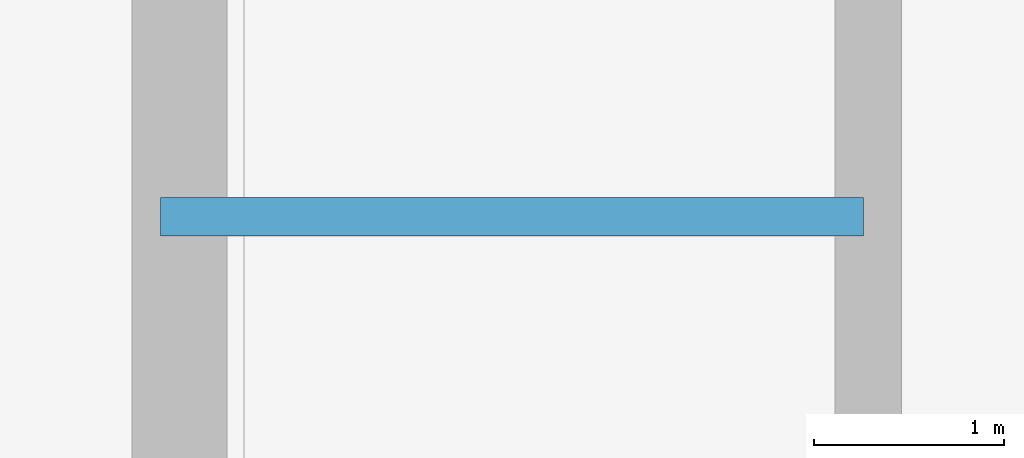
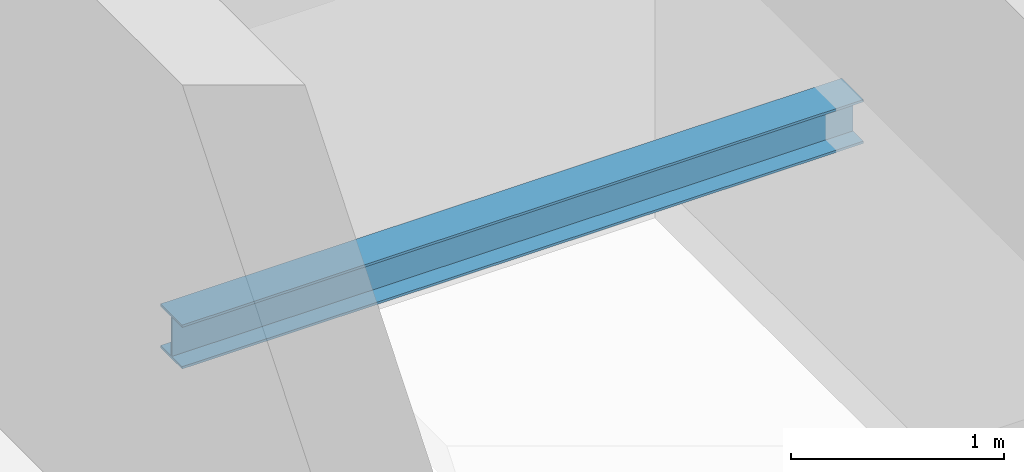
# One storey, part 13 of 32: 1 beam.
"""IFC4 building model written with IfcOpenShell, lengths in metres."""

from ifc_helpers import new_model, si_unit, direction, frame, origin, origin_2d, place, context, subcontext, project, spatial, i_section, extrude, material, material_profile, profile_set, type_object, element, save


model = new_model("IFC4")

# Units and contexts
model_context = context("Model", 3, precision=1e-05, world=origin(), true_north=direction((0.0, 1.0)))
body_context = subcontext(model_context, "Body", "Model", "MODEL_VIEW")
ifc_project = project(units=[si_unit("LENGTHUNIT", "METRE"), si_unit("AREAUNIT", "SQUARE_METRE"), si_unit("VOLUMEUNIT", "CUBIC_METRE"), si_unit("PLANEANGLEUNIT", "RADIAN"), si_unit("MASSUNIT", "GRAM", prefix="KILO")], contexts=[model_context])

# Site, building, storey
site_placement = place(None, origin())
site = spatial("IfcSite", under=ifc_project, at=site_placement, CompositionType="ELEMENT")
building_placement = place(site_placement, origin())
building = spatial("IfcBuilding", under=site, at=building_placement, Name="Veraguas Prism Commons", CompositionType="ELEMENT")
storey_placement = place(building_placement, frame((0.0, 0.0, 188.60009765625)))
storey = spatial("IfcBuildingStorey", under=building, at=storey_placement, Name="L53", CompositionType="ELEMENT", Elevation=188.60009765625)

# Beam
ifc_material = material(Name="Steel ASTM A992 Grade 50", Category="steel")
ifc_material_profile = material_profile(ifc_material, i_section(OverallWidth=0.202880859375, OverallDepth=0.251953125, WebThickness=0.008056640625, FlangeThickness=0.013427734375, at=origin_2d()), Name="W250X58")
ifc_profile_set = profile_set([ifc_material_profile], Name="Steel ASTM A992 Grade 50")
beam_type = type_object("IfcBeamType", Name="Structural Opening Lintel W250x58", PredefinedType="LINTEL", material=ifc_profile_set)
beam_placement = place(storey_placement, frame((17.25, 26.800048828125, 1.298828125), z_axis=(1.0, 0.0, 0.0), x_axis=(0.0, 1.0, 0.0)))
element("IfcBeam", 1, at=beam_placement, inside=storey, type_object=beam_type, Name="Stair ST-01 Half-Landing Support Beam L53-1", PredefinedType="LINTEL", context=body_context, shape_type="SweptSolid", body=[
    extrude(i_section(OverallWidth=0.202880859375, OverallDepth=0.251953125, WebThickness=0.008056640625, FlangeThickness=0.013427734375, at=origin_2d()), origin(), (0.0, 0.0, 1.0), 3.699951171875),
])

save(model, "model.ifc")
